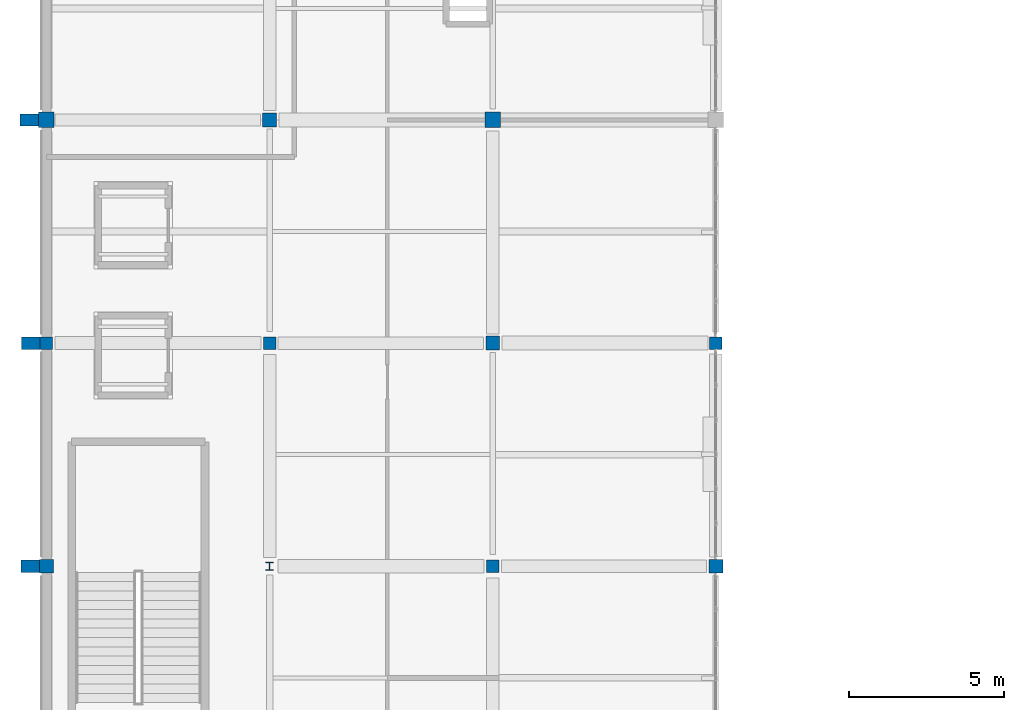
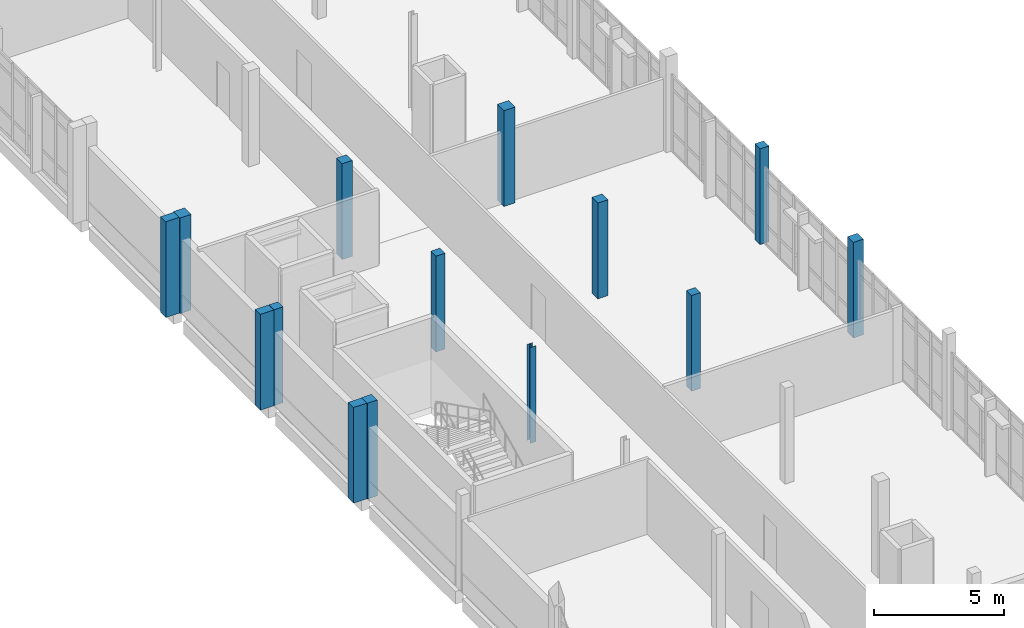
# One storey, part 2 of 62: 14 columns.
"""IFC4 building model written with IfcOpenShell, lengths in metres."""

from ifc_helpers import new_model, si_unit, direction, frame, origin, origin_2d, place, context, subcontext, project, spatial, rectangle, i_section, extrude, material, material_profile, profile_set, type_object, element, save


model = new_model("IFC4")

# Units and contexts
model_context = context("Model", 3, precision=1e-05, world=origin(), true_north=direction((0.0, 1.0)))
body_context = subcontext(model_context, "Body", "Model", "MODEL_VIEW")
ifc_project = project(units=[si_unit("LENGTHUNIT", "METRE"), si_unit("AREAUNIT", "SQUARE_METRE"), si_unit("VOLUMEUNIT", "CUBIC_METRE"), si_unit("PLANEANGLEUNIT", "RADIAN"), si_unit("MASSUNIT", "GRAM", prefix="KILO")], contexts=[model_context])

# Site, building, storey
site_placement = place(None, origin())
site = spatial("IfcSite", under=ifc_project, at=site_placement, CompositionType="ELEMENT")
building_placement = place(site_placement, origin())
building = spatial("IfcBuilding", under=site, at=building_placement, Name="Kalluvel Institute of Natural Sciences", CompositionType="ELEMENT")
storey_placement = place(building_placement, frame((0.0, 0.0, 27.89990234375)))
storey = spatial("IfcBuildingStorey", under=building, at=storey_placement, Name="L06", CompositionType="ELEMENT", Elevation=27.89990234375)

# Columns
ifc_material_1 = material(Name="Steel E350 Grade 350", Category="steel")
ifc_material_profile_1 = material_profile(ifc_material_1, i_section(OverallWidth=0.25, OverallDepth=0.25, WebThickness=0.0087890625, FlangeThickness=0.009765625, FilletRadius=0.010009765625, at=origin_2d()), Name="ISHB 250")
ifc_profile_set_1 = profile_set([ifc_material_profile_1], Name="Steel E350 Grade 350")
column_type_1 = type_object("IfcColumnType", Name="COL-ISHB250", PredefinedType="COLUMN", material=ifc_profile_set_1)
column_placement = place(storey_placement, frame((21.199951171875, 50.0, 0.0), z_axis=(0.0, 0.0, 1.0), x_axis=(1.0, 0.0, 0.0)))
element("IfcColumn", 1, at=column_placement, inside=storey, type_object=column_type_1, Name="L06 structural column COL-L06-X212-Y500", PredefinedType="COLUMN", context=body_context, shape_type="SweptSolid", body=[
    extrude(i_section(OverallWidth=0.25, OverallDepth=0.25, WebThickness=0.0087890625, FlangeThickness=0.009765625, FilletRadius=0.010009765625, at=origin_2d()), origin(), (0.0, 0.0, 1.0), 4.5),
])
ifc_material_2 = material(Name="Concrete M40", Category="concrete")
ifc_material_profile_2 = material_profile(ifc_material_2, rectangle(XDim=0.39990234375, YDim=0.39990234375, at=origin_2d()), Name="RC 400x400")
ifc_profile_set_2 = profile_set([ifc_material_profile_2], Name="Concrete M40")
column_type_2 = type_object("IfcColumnType", Name="COL-RC400", PredefinedType="COLUMN", material=ifc_profile_set_2)
for number, where, z_axis, x_axis, name in (
    (2, (14.0, 57.199951171875, 0.0), (0.0, 0.0, 1.0), (1.0, 0.0, 0.0), "L06 structural column COL-L06-X140-Y572"),
    (3, (21.199951171875, 57.199951171875, 0.0), (0.0, 0.0, 1.0), (1.0, 0.0, 0.0), "L06 structural column COL-L06-X212-Y572"),
    (4, (28.39990234375, 50.0, 0.0), (0.0, 0.0, 1.0), (1.0, 0.0, 0.0), "L06 structural column COL-L06-X284-Y500"),
    (5, (35.60009765625, 57.199951171875, 0.0), (0.0, 0.0, 1.0), (1.0, 0.0, 0.0), "L06 structural column COL-L06-X356-Y572"),
):
    element("IfcColumn", number, at=place(storey_placement, frame(where, z_axis=z_axis, x_axis=x_axis)), inside=storey, type_object=column_type_2, Name=name, PredefinedType="COLUMN", context=body_context, shape_type="SweptSolid", body=[
        extrude(rectangle(XDim=0.39990234375, YDim=0.39990234375, at=origin_2d()), origin(), (0.0, 0.0, 1.0), 4.5),
    ])
ifc_material_profile_3 = material_profile(ifc_material_2, rectangle(XDim=0.449951171875, YDim=0.449951171875, at=origin_2d()), Name="RC 450x450")
ifc_profile_set_3 = profile_set([ifc_material_profile_3], Name="Concrete M40")
column_type_3 = type_object("IfcColumnType", Name="COL-RC450", PredefinedType="COLUMN", material=ifc_profile_set_3)
for number, where, z_axis, x_axis, name in (
    (6, (14.0, 50.0, 0.0), (0.0, 0.0, 1.0), (1.0, 0.0, 0.0), "L06 structural column COL-L06-X140-Y500"),
    (7, (21.199951171875, 64.39990234375, 0.0), (0.0, 0.0, 1.0), (1.0, 0.0, 0.0), "L06 structural column COL-L06-X212-Y644"),
    (8, (28.39990234375, 57.199951171875, 0.0), (0.0, 0.0, 1.0), (1.0, 0.0, 0.0), "L06 structural column COL-L06-X284-Y572"),
    (9, (35.60009765625, 50.0, 0.0), (0.0, 0.0, 1.0), (1.0, 0.0, 0.0), "L06 structural column COL-L06-X356-Y500"),
):
    element("IfcColumn", number, at=place(storey_placement, frame(where, z_axis=z_axis, x_axis=x_axis)), inside=storey, type_object=column_type_3, Name=name, PredefinedType="COLUMN", context=body_context, shape_type="SweptSolid", body=[
        extrude(rectangle(XDim=0.449951171875, YDim=0.449951171875, at=origin_2d()), origin(), (0.0, 0.0, 1.0), 4.5),
    ])
ifc_material_profile_4 = material_profile(ifc_material_2, rectangle(XDim=0.5, YDim=0.5, at=origin_2d()), Name="RC 500x500")
ifc_profile_set_4 = profile_set([ifc_material_profile_4], Name="Concrete M40")
column_type_4 = type_object("IfcColumnType", Name="COL-RC500", PredefinedType="COLUMN", material=ifc_profile_set_4)
for number, where, z_axis, x_axis, name in (
    (10, (14.0, 64.39990234375, 0.0), (0.0, 0.0, 1.0), (1.0, 0.0, 0.0), "L06 structural column COL-L06-X140-Y644"),
    (11, (28.39990234375, 64.39990234375, 0.0), (0.0, 0.0, 1.0), (1.0, 0.0, 0.0), "L06 structural column COL-L06-X284-Y644"),
):
    element("IfcColumn", number, at=place(storey_placement, frame(where, z_axis=z_axis, x_axis=x_axis)), inside=storey, type_object=column_type_4, Name=name, PredefinedType="COLUMN", context=body_context, shape_type="SweptSolid", body=[
        extrude(rectangle(XDim=0.5, YDim=0.5, at=origin_2d()), origin(), (0.0, 0.0, 1.0), 4.5),
    ])
ifc_material_3 = material(Name="Sadarahalli Granite Precast Concrete M45", Category="masonry")
ifc_material_profile_5 = material_profile(ifc_material_3, rectangle(XDim=0.39990234375, YDim=0.60009765625, at=origin_2d()), Name="PIL 400x600")
ifc_profile_set_5 = profile_set([ifc_material_profile_5], Name="Sadarahalli Granite Precast Concrete M45")
column_type_5 = type_object("IfcColumnType", Name="PIL-400x600", PredefinedType="PILASTER", material=ifc_profile_set_5)
for number, where, z_axis, x_axis, name in (
    (12, (13.471923828125, 50.0, 0.0), (0.0, 0.0, 1.0), (0.0, 1.0, 0.0), "L06 Gothic stepped Sadarahalli granite buttress 84"),
    (13, (13.4970703125, 57.199951171875, 0.0), (0.0, 0.0, 1.0), (0.0, 1.0, 0.0), "L06 Gothic stepped Sadarahalli granite buttress 92"),
    (14, (13.447021484375, 64.39990234375, 0.0), (0.0, 0.0, 1.0), (0.0, 1.0, 0.0), "L06 Gothic stepped Sadarahalli granite buttress 100"),
):
    element("IfcColumn", number, at=place(storey_placement, frame(where, z_axis=z_axis, x_axis=x_axis)), inside=storey, type_object=column_type_5, Name=name, PredefinedType="PILASTER", context=body_context, shape_type="SweptSolid", body=[
        extrude(rectangle(XDim=0.39990234375, YDim=0.60009765625, at=origin_2d()), origin(), (0.0, 0.0, 1.0), 4.5),
    ])

save(model, "model.ifc")
